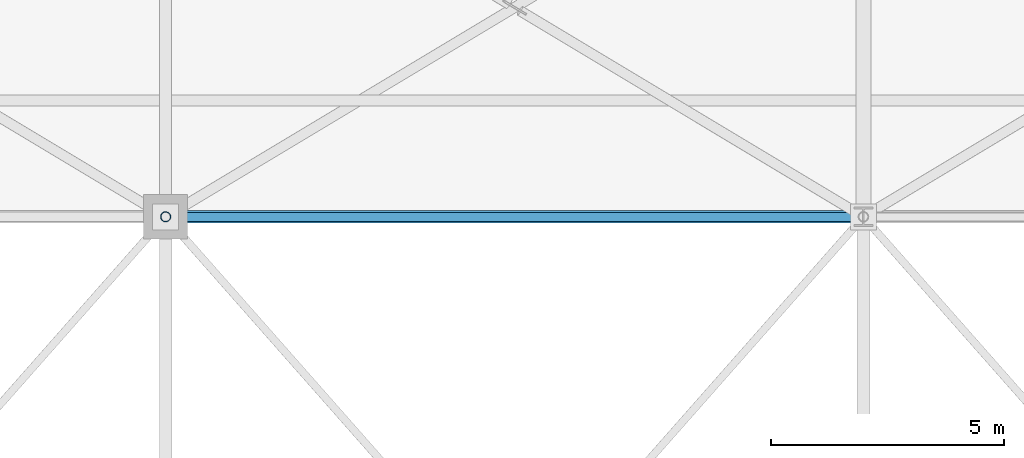
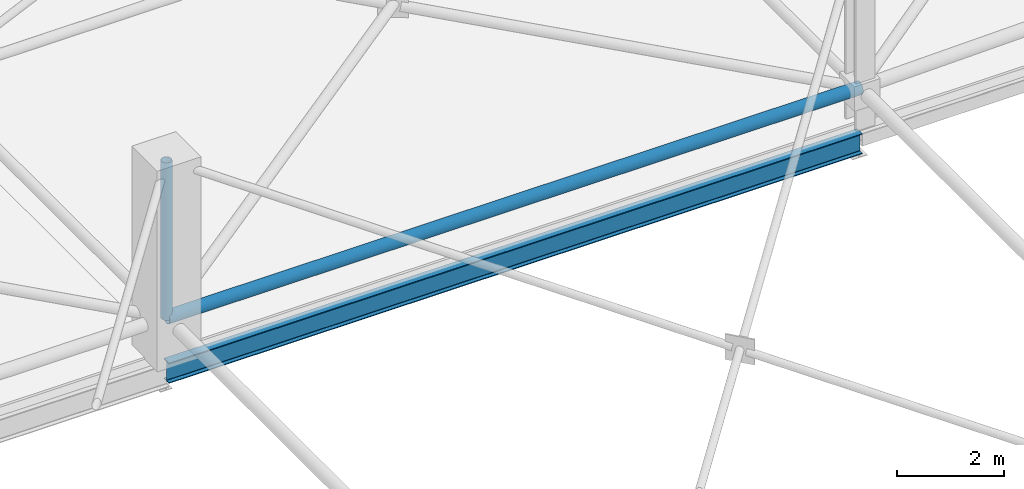
# One storey, part 111 of 224: 2 members, 1 beam.
"""IFC4 building model written with IfcOpenShell, lengths in metres."""

from ifc_helpers import new_model, si_unit, direction, frame, origin, origin_2d, place, context, subcontext, project, spatial, hollow_circle, i_section, extrude, material, material_profile, profile_set, type_object, element, save


model = new_model("IFC4")

# Units and contexts
model_context = context("Model", 3, precision=1e-05, world=origin(), true_north=direction((0.0, 1.0)))
body_context = subcontext(model_context, "Body", "Model", "MODEL_VIEW")
ifc_project = project(units=[si_unit("LENGTHUNIT", "METRE"), si_unit("AREAUNIT", "SQUARE_METRE"), si_unit("VOLUMEUNIT", "CUBIC_METRE"), si_unit("PLANEANGLEUNIT", "RADIAN"), si_unit("MASSUNIT", "GRAM", prefix="KILO")], contexts=[model_context])

# Site, building, storey
site_placement = place(None, origin())
site = spatial("IfcSite", under=ifc_project, at=site_placement, CompositionType="ELEMENT")
building_placement = place(site_placement, origin())
building = spatial("IfcBuilding", under=site, at=building_placement, Name="Qamarlyn Nura Convention Centre", CompositionType="ELEMENT")
storey_placement = place(building_placement, frame((0.0, 0.0, 10.800048828125)))
storey = spatial("IfcBuildingStorey", under=building, at=storey_placement, Name="L02", CompositionType="ELEMENT", Elevation=10.800048828125)

# Beam
ifc_material_1 = material(Name="Steel ASTM A992", Category="steel")
ifc_material_profile_1 = material_profile(ifc_material_1, i_section(OverallWidth=0.193115234375, OverallDepth=0.466064453125, WebThickness=0.011474609375, FlangeThickness=0.01904296875, FilletRadius=0.012939453125, at=origin_2d()), Name="W460X97")
ifc_profile_set_1 = profile_set([ifc_material_profile_1], Name="Steel ASTM A992")
beam_type = type_object("IfcBeamType", Name="BM-SPAN-460", PredefinedType="SPANDREL", material=ifc_profile_set_1)
beam_placement = place(storey_placement, frame((60.0, 103.0, -0.427978515625), z_axis=(1.0, 0.0, 0.0), x_axis=(0.0, 1.0, 0.0)))
element("IfcBeam", 1, at=beam_placement, inside=storey, type_object=beam_type, Name="L02 girder M 5-6", PredefinedType="SPANDREL", context=body_context, shape_type="SweptSolid", body=[
    extrude(i_section(OverallWidth=0.193115234375, OverallDepth=0.466064453125, WebThickness=0.011474609375, FlangeThickness=0.01904296875, FilletRadius=0.012939453125, at=origin_2d()), origin(), (0.0, 0.0, 1.0), 15.0),
])

# Members
ifc_material_2 = material(Name="Pearl-white PVDF steel ASTM A500 Grade C", Category="steel")
ifc_material_profile_2 = material_profile(ifc_material_2, hollow_circle(Radius=0.136474609375, WallThickness=0.012451171875, at=origin_2d()), Name="CHS273X12.5")
ifc_profile_set_2 = profile_set([ifc_material_profile_2], Name="Pearl-white PVDF steel ASTM A500 Grade C")
member_type_1 = type_object("IfcMemberType", Name="SF-BC-MAIN", PredefinedType="CHORD", material=ifc_profile_set_2)
member_1_placement = place(storey_placement, frame((60.0, 103.0, 0.800048828125), z_axis=(1.0, 0.0, 0.0), x_axis=(0.0, 1.0, 0.0)))
element("IfcMember", 2, at=member_1_placement, inside=storey, type_object=member_type_1, Name="ROOF TRUSS space frame bottom chord X6-7", PredefinedType="CHORD", context=body_context, shape_type="SweptSolid", body=[
    extrude(hollow_circle(Radius=0.136474609375, WallThickness=0.012451171875, at=origin_2d()), origin(), (0.0, 0.0, 1.0), 15.0),
])
ifc_material_profile_3 = material_profile(ifc_material_2, hollow_circle(Radius=0.109619140625, WallThickness=0.010009765625, at=origin_2d()), Name="CHS219.1X10")
ifc_profile_set_3 = profile_set([ifc_material_profile_3], Name="Pearl-white PVDF steel ASTM A500 Grade C")
member_type_2 = type_object("IfcMemberType", Name="SF-WEB-HVY", PredefinedType="BRACE", material=ifc_profile_set_3)
member_2_placement = place(storey_placement, frame((60.0, 103.0, 0.800048828125), z_axis=(0.0, 0.0, 1.0), x_axis=(1.0, 0.0, 0.0)))
element("IfcMember", 3, at=member_2_placement, inside=storey, type_object=member_type_2, Name="ROOF TRUSS space frame vertical 6-7", PredefinedType="BRACE", context=body_context, shape_type="SweptSolid", body=[
    extrude(hollow_circle(Radius=0.109619140625, WallThickness=0.010009765625, at=origin_2d()), origin(), (0.0, 0.0, 1.0), 3.599853515625),
])

save(model, "model.ifc")
